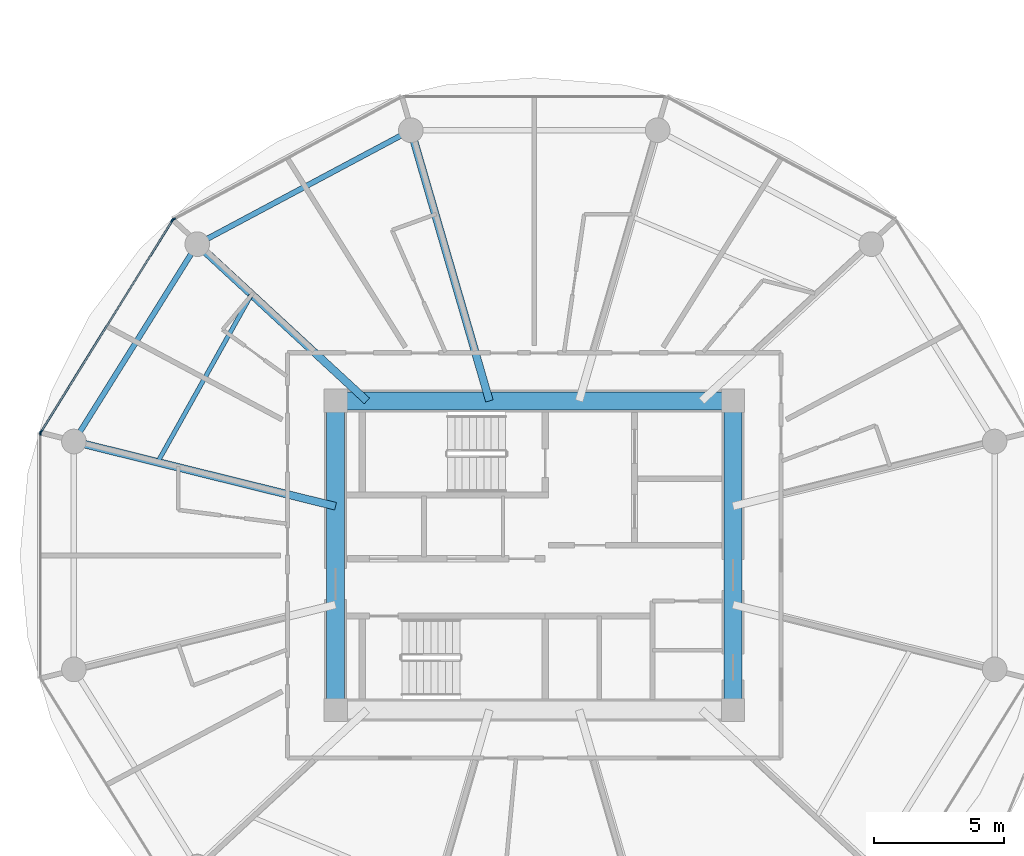
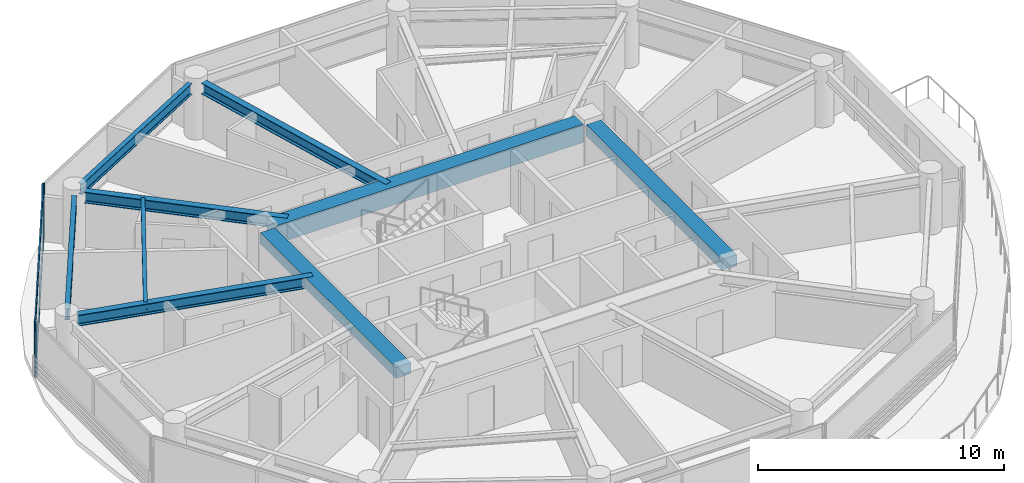
# One storey, part 4 of 27: 9 beams, 6 members, 3 elements without a shape of their own.
"""IFC4 building model written with IfcOpenShell, lengths in metres."""

from ifc_helpers import new_model, si_unit, direction, frame, origin, origin_2d, place, context, subcontext, project, spatial, rectangle, i_section, extrude, source, transform, mapped, material, layer, layer_set, material_profile, profile_set, type_object, type_shapes, element, aggregate, save


model = new_model("IFC4")

# Units and contexts
model_context = context("Model", 3, precision=1e-05, world=origin(), true_north=direction((0.0, 1.0)))
body_context = subcontext(model_context, "Body", "Model", "MODEL_VIEW")
ifc_project = project(units=[si_unit("LENGTHUNIT", "METRE"), si_unit("AREAUNIT", "SQUARE_METRE"), si_unit("VOLUMEUNIT", "CUBIC_METRE"), si_unit("PLANEANGLEUNIT", "RADIAN"), si_unit("MASSUNIT", "GRAM", prefix="KILO")], contexts=[model_context])

# Site, building, storey
site_placement = place(None, origin())
site = spatial("IfcSite", under=ifc_project, at=site_placement, CompositionType="ELEMENT")
building_placement = place(site_placement, origin())
building = spatial("IfcBuilding", under=site, at=building_placement, Name="Norrkilde Senior Care Towers", CompositionType="ELEMENT")
storey_placement = place(building_placement, frame((0.0, 0.0, 58.199951171875)))
storey = spatial("IfcBuildingStorey", under=building, at=storey_placement, Name="L17", CompositionType="ELEMENT", Elevation=58.199951171875)

# Beams
ifc_material_1 = material(Name="Concrete C60/75", Category="concrete")
ifc_material_profile_1 = material_profile(ifc_material_1, rectangle(XDim=0.699951171875, YDim=0.89990234375, at=origin_2d()), Name="RC BM 700x900")
ifc_profile_set_1 = profile_set([ifc_material_profile_1], Name="Concrete C60/75")
beam_type_1 = type_object("IfcBeamType", Name="Core Coupling Girder 700x900", PredefinedType="USERDEFINED", material=ifc_profile_set_1)
shared_shape_1 = source(origin(), body_context, "Body", "SweptSolid", [
    extrude(rectangle(XDim=0.699951171875, YDim=0.89990234375, at=origin_2d()), origin(), (0.0, 0.0, 1.0), 14.43994140625),
])
type_shapes(beam_type_1, [shared_shape_1])
beam_1_placement = place(storey_placement, frame((-35.219970703125, 5.949951171875, 2.340087890625), z_axis=(1.0, 0.0, 0.0), x_axis=(0.0, 1.0, 0.0)))
element("IfcBeam", 1, at=beam_1_placement, inside=storey, type_object=beam_type_1, Name="L17 Core W N Coupling Girder", ObjectType="GIRDER", PredefinedType="USERDEFINED", context=body_context, shape_type="MappedRepresentation", body=[
    mapped(shared_shape_1, transform((0.0, 0.0, 0.0), x_axis=(1.0, 0.0, 0.0), y_axis=(0.0, 1.0, 0.0), z_axis=(0.0, 0.0, 1.0), scale=1.0)),
])
ifc_material_profile_2 = material_profile(ifc_material_1, rectangle(XDim=0.699951171875, YDim=0.550048828125, at=origin_2d()), Name="RC BM 700x550")
ifc_profile_set_2 = profile_set([ifc_material_profile_2], Name="Concrete C60/75")
beam_type_2 = type_object("IfcBeamType", Name="Core Portal Coupling Beam 700x550", PredefinedType="USERDEFINED", material=ifc_profile_set_2)
shared_shape_2 = source(origin(), body_context, "Body", "SweptSolid", [
    extrude(rectangle(XDim=0.699951171875, YDim=0.550048828125, at=origin_2d()), origin(), (0.0, 0.0, 1.0), 11.0400390625),
])
type_shapes(beam_type_2, [shared_shape_2])
for number, where, z_axis, x_axis, name in (
    (2, (-35.64990234375, -5.52001953125, 2.51513671875), (0.0, 1.0, 0.0), (-1.0, 0.0, 0.0), "L17 Core W W Coupling Girder"),
    (3, (-20.35009765625, -5.52001953125, 2.51513671875), (0.0, 1.0, 0.0), (-1.0, 0.0, 0.0), "L17 Core W E Coupling Girder"),
):
    element("IfcBeam", number, at=place(storey_placement, frame(where, z_axis=z_axis, x_axis=x_axis)), inside=storey, type_object=beam_type_2, Name=name, ObjectType="GIRDER", PredefinedType="USERDEFINED", context=body_context, shape_type="MappedRepresentation", body=[
        mapped(shared_shape_2, transform((0.0, 0.0, 0.0), x_axis=(1.0, 0.0, 0.0), y_axis=(0.0, 1.0, 0.0), z_axis=(0.0, 0.0, 1.0), scale=1.0)),
    ])
ifc_material_2 = material(Name="Steel S355", Category="steel")
ifc_material_profile_3 = material_profile(ifc_material_2, i_section(OverallWidth=0.2099609375, OverallDepth=0.550048828125, WebThickness=0.010986328125, FlangeThickness=0.01708984375, FilletRadius=0.02392578125, at=origin_2d()), Name="IPE 550")
ifc_profile_set_3 = profile_set([ifc_material_profile_3], Name="Steel S355")
beam_type_3 = type_object("IfcBeamType", Name="Perimeter Ring Spandrel Z1 IPE550", PredefinedType="SPANDREL", material=ifc_profile_set_3)
shared_shape_3 = source(origin(), body_context, "Body", "SweptSolid", [
    extrude(i_section(OverallWidth=0.2099609375, OverallDepth=0.550048828125, WebThickness=0.010986328125, FlangeThickness=0.01708984375, FilletRadius=0.02392578125, at=origin_2d()), origin(), (0.0, 0.0, 1.0), 8.090576171875),
])
beam_2_placement = place(storey_placement, frame((-41.2060546875, 11.61669921875, 2.51513671875), z_axis=(-0.530004364821, -0.84799491347, 0.0), x_axis=(0.84799491347, -0.530004364821, 0.0)))
element("IfcBeam", 4, at=beam_2_placement, inside=storey, type_object=beam_type_3, Name="L17 Drum W Perimeter Spandrel 05", PredefinedType="SPANDREL", context=body_context, shape_type="MappedRepresentation", body=[
    mapped(shared_shape_3, transform((0.0, 0.0, 0.0), x_axis=(1.0, 0.0, 0.0), y_axis=(0.0, 1.0, 0.0), z_axis=(0.0, 0.0, 1.0), scale=1.0)),
])
ifc_material_profile_4 = material_profile(ifc_material_2, i_section(OverallWidth=0.300048828125, OverallDepth=0.550048828125, WebThickness=0.014892578125, FlangeThickness=0.029052734375, FilletRadius=0.027099609375, at=origin_2d()), Name="HEB 550")
ifc_profile_set_4 = profile_set([ifc_material_profile_4], Name="Steel S355")
beam_type_4 = type_object("IfcBeamType", Name="Radial Floor Beam Z1 HEB550", PredefinedType="BEAM", material=ifc_profile_set_4)
shared_shape_4 = source(origin(), body_context, "Body", "SweptSolid", [
    extrude(i_section(OverallWidth=0.300048828125, OverallDepth=0.550048828125, WebThickness=0.014892578125, FlangeThickness=0.029052734375, FilletRadius=0.027099609375, at=origin_2d()), origin(), (0.0, 0.0, 1.0), 9.94384765625),
])
beam_3_placement = place(storey_placement, frame((-35.64990234375, 1.893310546875, 2.51513671875), z_axis=(-0.970707425182, 0.240264634718, 0.0), x_axis=(-0.240264634718, -0.970707425182, 0.0)))
element("IfcBeam", 5, at=beam_3_placement, inside=storey, type_object=beam_type_4, Name="L17 Drum W Radial Floor Beam 06", PredefinedType="BEAM", context=body_context, shape_type="MappedRepresentation", body=[
    mapped(shared_shape_4, transform((0.0, 0.0, 0.0), x_axis=(1.0, 0.0, 0.0), y_axis=(0.0, 1.0, 0.0), z_axis=(0.0, 0.0, 1.0), scale=1.0)),
])
shared_shape_5 = source(origin(), body_context, "Body", "SweptSolid", [
    extrude(i_section(OverallWidth=0.2099609375, OverallDepth=0.550048828125, WebThickness=0.010986328125, FlangeThickness=0.01708984375, FilletRadius=0.02392578125, at=origin_2d()), origin(), (0.0, 0.0, 1.0), 8.452880859375),
])
type_shapes(beam_type_3, [shared_shape_3, shared_shape_5])
beam_4_placement = place(storey_placement, frame((-33.133056640625, 16.167724609375, 2.51513671875), z_axis=(-0.882368931134, -0.470558252898, 0.0), x_axis=(0.470558252898, -0.882368931134, 0.0)))
element("IfcBeam", 6, at=beam_4_placement, inside=storey, type_object=beam_type_3, Name="L17 Drum W Perimeter Spandrel 04", PredefinedType="SPANDREL", context=body_context, shape_type="MappedRepresentation", body=[
    mapped(shared_shape_5, transform((0.0, 0.0, 0.0), x_axis=(1.0, 0.0, 0.0), y_axis=(0.0, 1.0, 0.0), z_axis=(0.0, 0.0, 1.0), scale=1.0)),
])
shared_shape_6 = source(origin(), body_context, "Body", "SweptSolid", [
    extrude(i_section(OverallWidth=0.300048828125, OverallDepth=0.550048828125, WebThickness=0.014892578125, FlangeThickness=0.029052734375, FilletRadius=0.027099609375, at=origin_2d()), origin(), (0.0, 0.0, 1.0), 8.459716796875),
])
beam_5_placement = place(storey_placement, frame((-34.44140625, 5.949951171875, 2.51513671875), z_axis=(-0.734573269108, 0.678529374686, 0.0), x_axis=(-0.678529374686, -0.734573269108, 0.0)))
element("IfcBeam", 7, at=beam_5_placement, inside=storey, type_object=beam_type_4, Name="L17 Drum W Radial Floor Beam 05", PredefinedType="BEAM", context=body_context, shape_type="MappedRepresentation", body=[
    mapped(shared_shape_6, transform((0.0, 0.0, 0.0), x_axis=(1.0, 0.0, 0.0), y_axis=(0.0, 1.0, 0.0), z_axis=(0.0, 0.0, 1.0), scale=1.0)),
])
shared_shape_7 = source(origin(), body_context, "Body", "SweptSolid", [
    extrude(i_section(OverallWidth=0.300048828125, OverallDepth=0.550048828125, WebThickness=0.014892578125, FlangeThickness=0.029052734375, FilletRadius=0.027099609375, at=origin_2d()), origin(), (0.0, 0.0, 1.0), 10.4169921875),
])
type_shapes(beam_type_4, [shared_shape_4, shared_shape_6, shared_shape_7])
beam_6_placement = place(storey_placement, frame((-29.72607421875, 5.949951171875, 2.51513671875), z_axis=(-0.278591250785, 0.960409764104, 0.0), x_axis=(-0.960409764104, -0.278591250785, 0.0)))
element("IfcBeam", 8, at=beam_6_placement, inside=storey, type_object=beam_type_4, Name="L17 Drum W Radial Floor Beam 04", PredefinedType="BEAM", context=body_context, shape_type="MappedRepresentation", body=[
    mapped(shared_shape_7, transform((0.0, 0.0, 0.0), x_axis=(1.0, 0.0, 0.0), y_axis=(0.0, 1.0, 0.0), z_axis=(0.0, 0.0, 1.0), scale=1.0)),
])
ifc_material_profile_5 = material_profile(ifc_material_2, i_section(OverallWidth=0.169921875, OverallDepth=0.360107421875, WebThickness=0.008056640625, FlangeThickness=0.0126953125, FilletRadius=0.01806640625, at=origin_2d()), Name="IPE 360")
ifc_profile_set_5 = profile_set([ifc_material_profile_5], Name="Steel S355")
beam_type_5 = type_object("IfcBeamType", Name="Secondary Floor Joist IPE360", PredefinedType="JOIST", material=ifc_profile_set_5)
shared_shape_8 = source(origin(), body_context, "Body", "SweptSolid", [
    extrude(i_section(OverallWidth=0.169921875, OverallDepth=0.360107421875, WebThickness=0.008056640625, FlangeThickness=0.0126953125, FilletRadius=0.01806640625, at=origin_2d()), origin(), (0.0, 0.0, 1.0), 7.40771484375),
])
type_shapes(beam_type_5, [shared_shape_8])
beam_7_placement = place(storey_placement, frame((-38.884521484375, 10.05419921875, 2.610107421875), z_axis=(-0.488167754092, -0.872749817453, 0.0), x_axis=(0.872749817453, -0.488167754092, 0.0)))
element("IfcBeam", 9, at=beam_7_placement, inside=storey, type_object=beam_type_5, Name="L17 Drum W Secondary Floor Joist 2", PredefinedType="JOIST", context=body_context, shape_type="MappedRepresentation", body=[
    mapped(shared_shape_8, transform((0.0, 0.0, 0.0), x_axis=(1.0, 0.0, 0.0), y_axis=(0.0, 1.0, 0.0), z_axis=(0.0, 0.0, 1.0), scale=1.0)),
])

# Curtain wall, member
ifc_material_3 = material(Name="Triple Low-E Insulated Glazing", Category="glass")
ifc_layer = layer(ifc_material_3, 0.199951171875)
ifc_layer_set = layer_set([ifc_layer], Name="Triple Low-E Insulated Glazing")
curtain_wall_type = type_object("IfcCurtainWallType", Name="CW2 Zone 1 Memory Care Curtain Wall", PredefinedType="NOTDEFINED", material=ifc_layer_set)
curtain_wall_1_placement = place(storey_placement, origin())
curtain_wall_1 = element("IfcCurtainWall", 10, at=curtain_wall_1_placement, inside=storey, type_object=curtain_wall_type, Name="L17 Drum W Curtain Wall 03", PredefinedType="NOTDEFINED")
ifc_material_4 = material(Name="Anodised Aluminium", Category="aluminium")
ifc_material_profile_6 = material_profile(ifc_material_4, rectangle(XDim=0.06494140625, YDim=0.159912109375, at=origin_2d()), Name="ALU MULL 65x160")
ifc_profile_set_6 = profile_set([ifc_material_profile_6], Name="Anodised Aluminium")
member_type_1 = type_object("IfcMemberType", Name="Curtain Wall Mullion Z1-Z2 65x160", PredefinedType="MULLION", material=ifc_profile_set_6)
shared_shape_9 = source(origin(), body_context, "Body", "SweptSolid", [
    extrude(rectangle(XDim=0.06494140625, YDim=0.159912109375, at=origin_2d()), origin(), (0.0, 0.0, 1.0), 2.7900390625),
])
type_shapes(member_type_1, [shared_shape_9])
member_1_placement = place(storey_placement, frame((-41.88720703125, 12.941162109375, 0.0), z_axis=(0.0, 0.0, 1.0), x_axis=(-0.472607802456, 0.881272866403, 0.0)))
member_1 = element("IfcMember", 11, at=member_1_placement, type_object=member_type_1, Name="CW-2 mullion 1", PredefinedType="MULLION", context=body_context, shape_type="MappedRepresentation", body=[
    mapped(shared_shape_9, transform((0.0, 0.0, 0.0), x_axis=(1.0, 0.0, 0.0), y_axis=(0.0, 1.0, 0.0), z_axis=(0.0, 0.0, 1.0), scale=1.0)),
])
aggregate(curtain_wall_1, [member_1])

# Curtain wall, members
curtain_wall_2_placement = place(storey_placement, origin())
curtain_wall_2 = element("IfcCurtainWall", 12, at=curtain_wall_2_placement, inside=storey, type_object=curtain_wall_type, Name="L17 Drum W Curtain Wall 04", PredefinedType="NOTDEFINED")
member_2_placement = place(storey_placement, frame((-46.9921875, 4.7587890625, 0.0), z_axis=(0.0, 0.0, 1.0), x_axis=(-0.849305943117, 0.527900951871, 0.0)))
member_2 = element("IfcMember", 13, at=member_2_placement, type_object=member_type_1, Name="CW-2 mullion 1", PredefinedType="MULLION", context=body_context, shape_type="MappedRepresentation", body=[
    mapped(shared_shape_9, transform((0.0, 0.0, 0.0), x_axis=(1.0, 0.0, 0.0), y_axis=(0.0, 1.0, 0.0), z_axis=(0.0, 0.0, 1.0), scale=1.0)),
])
member_3_placement = place(storey_placement, frame((-41.93310546875, 12.898193359375, 0.0), z_axis=(0.0, 0.0, 1.0), x_axis=(-0.849305943117, 0.527900951871, 0.0)))
member_3 = element("IfcMember", 14, at=member_3_placement, type_object=member_type_1, Name="CW-2 mullion 2", PredefinedType="MULLION", context=body_context, shape_type="MappedRepresentation", body=[
    mapped(shared_shape_9, transform((0.0, 0.0, 0.0), x_axis=(1.0, 0.0, 0.0), y_axis=(0.0, 1.0, 0.0), z_axis=(0.0, 0.0, 1.0), scale=1.0)),
])

# Curtain wall, member
curtain_wall_3_placement = place(storey_placement, origin())
curtain_wall_3 = element("IfcCurtainWall", 15, at=curtain_wall_3_placement, inside=storey, type_object=curtain_wall_type, Name="L17 Drum W Curtain Wall 05", PredefinedType="NOTDEFINED")
member_4_placement = place(storey_placement, frame((-47.009521484375, 4.69873046875, 0.0), z_axis=(0.0, 0.0, 1.0), x_axis=(-1.0, 0.0, 0.0)))
member_4 = element("IfcMember", 16, at=member_4_placement, type_object=member_type_1, Name="CW-2 mullion 2", PredefinedType="MULLION", context=body_context, shape_type="MappedRepresentation", body=[
    mapped(shared_shape_9, transform((0.0, 0.0, 0.0), x_axis=(1.0, 0.0, 0.0), y_axis=(0.0, 1.0, 0.0), z_axis=(0.0, 0.0, 1.0), scale=1.0)),
])
aggregate(curtain_wall_3, [member_4])

# Member
ifc_material_profile_7 = material_profile(ifc_material_4, rectangle(XDim=0.06005859375, YDim=0.1201171875, at=origin_2d()), Name="ALU TRAN 60x120")
ifc_profile_set_7 = profile_set([ifc_material_profile_7], Name="Anodised Aluminium")
member_type_2 = type_object("IfcMemberType", Name="Curtain Wall Transom Typical 60x120", PredefinedType="USERDEFINED", material=ifc_profile_set_7)
shared_shape_10 = source(origin(), body_context, "Body", "SweptSolid", [
    extrude(rectangle(XDim=0.06005859375, YDim=0.1201171875, at=origin_2d()), origin(), (0.0, 0.0, 1.0), 9.5185546875),
])
type_shapes(member_type_2, [shared_shape_10])
member_5_placement = place(storey_placement, frame((-46.97509765625, 4.786376953125, 0.030029296875), z_axis=(0.527901620669, 0.849305527413, 0.0), x_axis=(-0.849305527413, 0.527901620669, 0.0)))
member_5 = element("IfcMember", 17, at=member_5_placement, type_object=member_type_2, Name="CW-2 transom 1.1", ObjectType="TRANSOM", PredefinedType="USERDEFINED", context=body_context, shape_type="MappedRepresentation", body=[
    mapped(shared_shape_10, transform((0.0, 0.0, 0.0), x_axis=(1.0, 0.0, 0.0), y_axis=(0.0, 1.0, 0.0), z_axis=(0.0, 0.0, 1.0), scale=1.0)),
])

member_6_placement = place(storey_placement, frame((-46.97509765625, 4.786376953125, 2.760009765625), z_axis=(0.527901620669, 0.849305527413, 0.0), x_axis=(-0.849305527413, 0.527901620669, 0.0)))
member_6 = element("IfcMember", 18, at=member_6_placement, type_object=member_type_2, Name="CW-2 transom 1.2", ObjectType="TRANSOM", PredefinedType="USERDEFINED", context=body_context, shape_type="MappedRepresentation", body=[
    mapped(shared_shape_10, transform((0.0, 0.0, 0.0), x_axis=(1.0, 0.0, 0.0), y_axis=(0.0, 1.0, 0.0), z_axis=(0.0, 0.0, 1.0), scale=1.0)),
])

aggregate(curtain_wall_2, [member_2, member_3, member_5, member_6])

save(model, "model.ifc")
